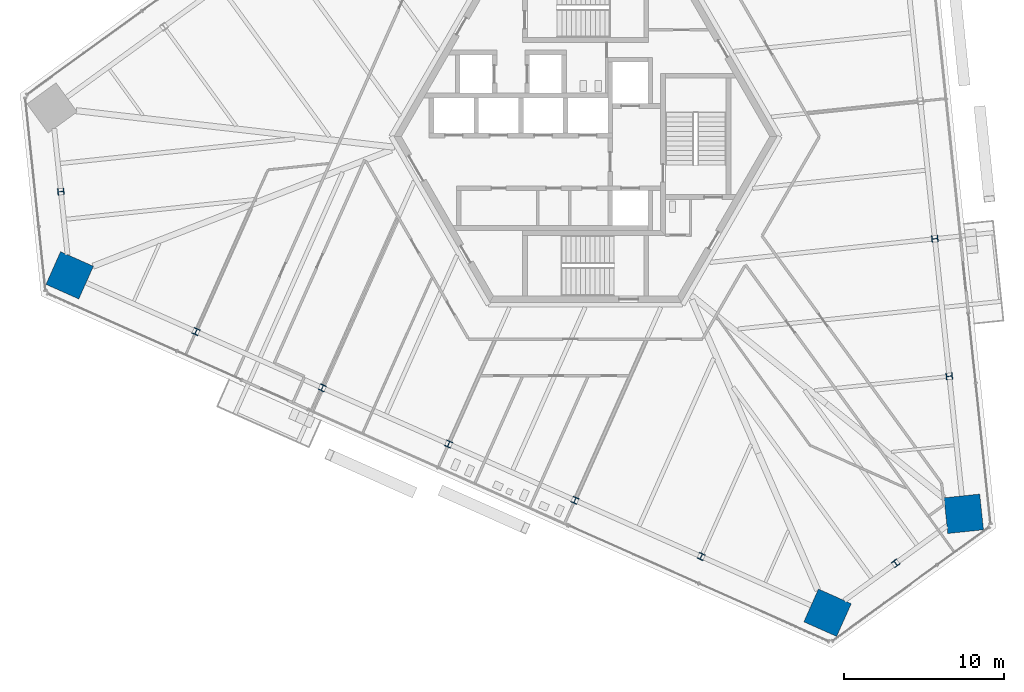
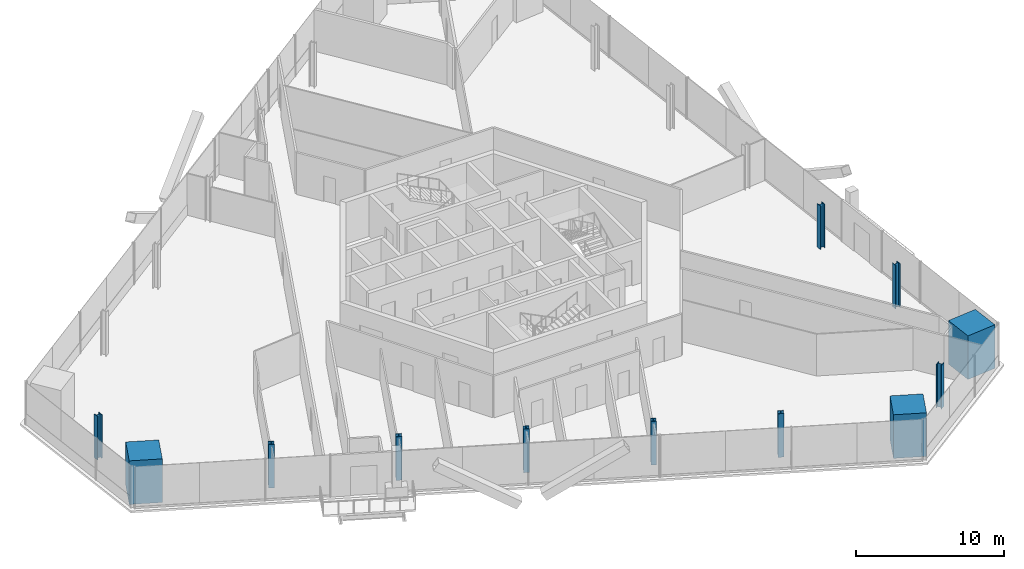
# One storey, part 1 of 19: 12 columns.
"""IFC4 building model written with IfcOpenShell, lengths in metres."""

from ifc_helpers import new_model, si_unit, direction, frame, origin, origin_2d, place, context, subcontext, project, spatial, rectangle, i_section, extrude, source, transform, mapped, material, material_profile, profile_set, type_object, element, save


model = new_model("IFC4")

# Units and contexts
model_context = context("Model", 3, precision=1e-05, world=origin(), true_north=direction((0.0, 1.0)))
body_context = subcontext(model_context, "Body", "Model", "MODEL_VIEW")
ifc_project = project(units=[si_unit("LENGTHUNIT", "METRE"), si_unit("AREAUNIT", "SQUARE_METRE"), si_unit("VOLUMEUNIT", "CUBIC_METRE"), si_unit("PLANEANGLEUNIT", "RADIAN"), si_unit("MASSUNIT", "GRAM", prefix="KILO")], contexts=[model_context])

# Site, building, storey
site_placement = place(None, origin())
site = spatial("IfcSite", under=ifc_project, at=site_placement, CompositionType="ELEMENT")
building_placement = place(site_placement, origin())
building = spatial("IfcBuilding", under=site, at=building_placement, Name="Triune Harvest Tower", CompositionType="ELEMENT")
storey_placement = place(building_placement, frame((0.0, 0.0, 76.5)))
storey = spatial("IfcBuildingStorey", under=building, at=storey_placement, Name="L18", CompositionType="ELEMENT", Elevation=76.5)

# Columns
ifc_material_1 = material(Name="Concrete 70 MPa", Category="concrete")
ifc_material_profile_1 = material_profile(ifc_material_1, rectangle(XDim=2.25, YDim=2.25, at=origin_2d()), Name="Composite 2250x2250")
ifc_profile_set_1 = profile_set([ifc_material_profile_1], Name="Concrete 70 MPa")
column_type_1 = type_object("IfcColumnType", Name="MC-2 Mega column Composite 2250x2250", PredefinedType="COLUMN", material=ifc_profile_set_1)
shared_shape_1 = source(origin(), body_context, "Body", "SweptSolid", [
    extrude(rectangle(XDim=2.25, YDim=2.25, at=origin_2d()), origin(), (0.0, 0.0, 1.0), 3.60009765625),
])
for number, where, z_axis, x_axis, name in (
    (1, (23.693359375, -23.6396484375, 0.0), (0.0, 0.0, 1.0), (-0.104526727499, 0.994522077803, 0.0), "col/L18/M0"),
    (2, (-32.319091796875, -8.69921875, 0.0), (0.0, 0.0, 1.0), (0.913545457643, -0.406736643076, 0.0), "col/L18/M16"),
    (3, (15.160888671875, -29.8388671875, 0.0), (0.0, 0.0, 1.0), (0.913545457643, -0.406736643076, 0.0), "col/L18/M22"),
):
    element("IfcColumn", number, at=place(storey_placement, frame(where, z_axis=z_axis, x_axis=x_axis)), inside=storey, type_object=column_type_1, Name=name, PredefinedType="COLUMN", context=body_context, shape_type="MappedRepresentation", body=[
        mapped(shared_shape_1, transform((0.0, 0.0, 0.0), scale=1.0)),
    ])
ifc_material_2 = material(Name="Steel ASTM A992 Gr 50", Category="steel")
ifc_material_profile_2 = material_profile(ifc_material_2, i_section(OverallWidth=0.398681640625, OverallDepth=0.393798828125, WebThickness=0.022705078125, FlangeThickness=0.03662109375, at=origin_2d()), Name="W14x193")
ifc_profile_set_2 = profile_set([ifc_material_profile_2], Name="Steel ASTM A992 Gr 50")
column_type_2 = type_object("IfcColumnType", Name="PC-2 Perimeter column W14x193", PredefinedType="COLUMN", material=ifc_profile_set_2)
shared_shape_2 = source(origin(), body_context, "Body", "SweptSolid", [
    extrude(i_section(OverallWidth=0.398681640625, OverallDepth=0.393798828125, WebThickness=0.022705078125, FlangeThickness=0.03662109375, at=origin_2d()), origin(), (0.0, 0.0, 1.0), 3.60009765625),
])
for number, where, z_axis, x_axis, name in (
    (4, (22.787841796875, -15.02490234375, 0.0), (0.0, 0.0, 1.0), (-0.104526727499, 0.994522077803, 0.0), "col/L18/P1"),
    (5, (21.88232421875, -6.409912109375, 0.0), (0.0, 0.0, 1.0), (-0.104526727499, 0.994522077803, 0.0), "col/L18/P2"),
    (6, (-32.870361328125, -3.454833984375, 0.0), (0.0, 0.0, 1.0), (0.104528463268, -0.994521895368, 0.0), "col/L18/P15"),
    (7, (-24.40576171875, -12.222412109375, 0.0), (0.0, 0.0, 1.0), (0.913545457643, -0.406736643076, 0.0), "col/L18/P17"),
    (8, (-16.492431640625, -15.745849609375, 0.0), (0.0, 0.0, 1.0), (0.913545457643, -0.406736643076, 0.0), "col/L18/P18"),
    (9, (-8.5791015625, -19.26904296875, 0.0), (0.0, 0.0, 1.0), (0.913545457643, -0.406736643076, 0.0), "col/L18/P19"),
    (10, (-0.665771484375, -22.792236328125, 0.0), (0.0, 0.0, 1.0), (0.913545457643, -0.406736643076, 0.0), "col/L18/P20"),
    (11, (7.24755859375, -26.3154296875, 0.0), (0.0, 0.0, 1.0), (0.913545457643, -0.406736643076, 0.0), "col/L18/P21"),
    (12, (19.427001953125, -26.7392578125, 0.0), (0.0, 0.0, 1.0), (0.809014942612, 0.587788076291, 0.0), "col/L18/P23"),
):
    element("IfcColumn", number, at=place(storey_placement, frame(where, z_axis=z_axis, x_axis=x_axis)), inside=storey, type_object=column_type_2, Name=name, PredefinedType="COLUMN", context=body_context, shape_type="MappedRepresentation", body=[
        mapped(shared_shape_2, transform((0.0, 0.0, 0.0), scale=1.0)),
    ])

save(model, "model.ifc")
